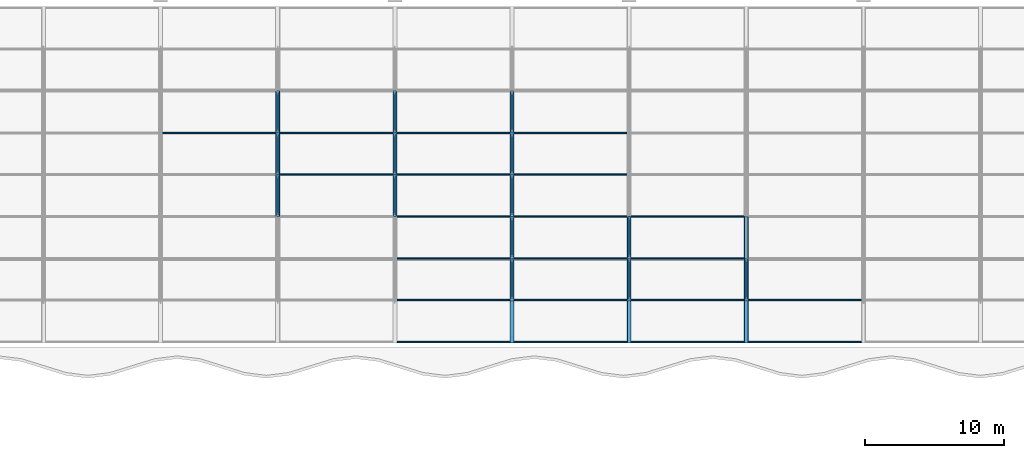
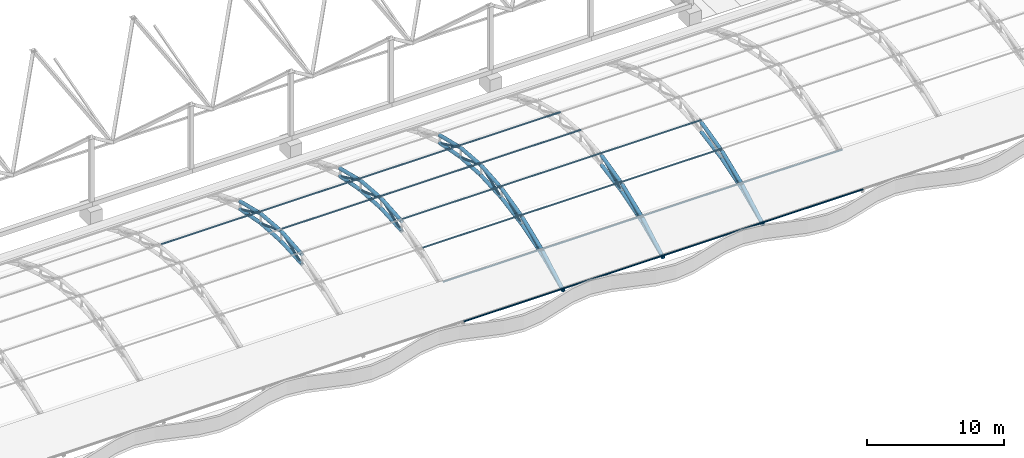
# One storey, part 18 of 163: 71 members.
"""IFC4 building model written with IfcOpenShell, lengths in metres."""

from ifc_helpers import new_model, si_unit, direction, frame, origin, origin_2d, place, context, subcontext, project, spatial, hollow_circle, extrude, material, material_profile, profile_set, type_object, element, save


model = new_model("IFC4")

# Units and contexts
model_context = context("Model", 3, precision=1e-05, world=origin(), true_north=direction((0.0, 1.0)))
body_context = subcontext(model_context, "Body", "Model", "MODEL_VIEW")
ifc_project = project(units=[si_unit("LENGTHUNIT", "METRE"), si_unit("AREAUNIT", "SQUARE_METRE"), si_unit("VOLUMEUNIT", "CUBIC_METRE"), si_unit("PLANEANGLEUNIT", "RADIAN"), si_unit("MASSUNIT", "GRAM", prefix="KILO")], contexts=[model_context])

# Site, building, storey
site_placement = place(None, origin())
site = spatial("IfcSite", under=ifc_project, at=site_placement, CompositionType="ELEMENT")
building_placement = place(site_placement, origin())
building = spatial("IfcBuilding", under=site, at=building_placement, Name="Rain Tree Exposition and Congress Centre", CompositionType="ELEMENT")
storey_placement = place(building_placement, frame((0.0, 0.0, 10.5)))
storey = spatial("IfcBuildingStorey", under=building, at=storey_placement, Name="L02", CompositionType="ELEMENT", Elevation=10.5)

# Members
ifc_material_1 = material(Name="Steel S355J2H", Category="steel")
ifc_material_profile_1 = material_profile(ifc_material_1, hollow_circle(Radius=0.090087890625, WallThickness=0.008056640625, at=origin_2d()), Name="CHS 180x8")
ifc_profile_set_1 = profile_set([ifc_material_profile_1], Name="Steel S355J2H")
member_type_1 = type_object("IfcMemberType", Name="Steel brace member CHS 180x8", PredefinedType="BRACE", material=ifc_profile_set_1)
for number, where, z_axis, x_axis, name in (
    (1, (84.0, 84.60009765625, 2.9423828125), (0.0, 0.940121356633, 0.340839896143), (-1.0, 0.0, 0.0), "Roof truss 11 diagonal 3"),
    (2, (84.0, 90.60009765625, 2.9423828125), (0.0, -0.940121356633, 0.340839896143), (1.0, 0.0, 0.0), "Roof truss 11 diagonal 4"),
):
    element("IfcMember", number, at=place(storey_placement, frame(where, z_axis=z_axis, x_axis=x_axis)), inside=storey, type_object=member_type_1, Name=name, PredefinedType="BRACE", context=body_context, shape_type="SweptSolid", body=[
        extrude(hollow_circle(Radius=0.090087890625, WallThickness=0.008056640625, at=origin_2d()), origin(), (0.0, 0.0, 1.0), 3.191162109375),
    ])
member_1_placement = place(storey_placement, frame((84.0, 93.60009765625, 2.3798828125), z_axis=(0.0, -0.905430616583, 0.424494285655), x_axis=(1.0, 0.0, 0.0)))
element("IfcMember", 3, at=member_1_placement, inside=storey, type_object=member_type_1, Name="Roof truss 11 diagonal 5", PredefinedType="BRACE", context=body_context, shape_type="SweptSolid", body=[
    extrude(hollow_circle(Radius=0.090087890625, WallThickness=0.008056640625, at=origin_2d()), origin(), (0.0, 0.0, 1.0), 3.313232421875),
])
for number, where, z_axis, x_axis, name in (
    (4, (92.39990234375, 84.60009765625, 2.9423828125), (0.0, 0.940121356633, 0.340839896143), (-1.0, 0.0, 0.0), "Roof truss 12 diagonal 3"),
    (5, (92.39990234375, 90.60009765625, 2.9423828125), (0.0, -0.940121356633, 0.340839896143), (1.0, 0.0, 0.0), "Roof truss 12 diagonal 4"),
):
    element("IfcMember", number, at=place(storey_placement, frame(where, z_axis=z_axis, x_axis=x_axis)), inside=storey, type_object=member_type_1, Name=name, PredefinedType="BRACE", context=body_context, shape_type="SweptSolid", body=[
        extrude(hollow_circle(Radius=0.090087890625, WallThickness=0.008056640625, at=origin_2d()), origin(), (0.0, 0.0, 1.0), 3.191162109375),
    ])
member_2_placement = place(storey_placement, frame((92.39990234375, 93.60009765625, 2.3798828125), z_axis=(0.0, -0.905430616583, 0.424494285655), x_axis=(1.0, 0.0, 0.0)))
element("IfcMember", 6, at=member_2_placement, inside=storey, type_object=member_type_1, Name="Roof truss 12 diagonal 5", PredefinedType="BRACE", context=body_context, shape_type="SweptSolid", body=[
    extrude(hollow_circle(Radius=0.090087890625, WallThickness=0.008056640625, at=origin_2d()), origin(), (0.0, 0.0, 1.0), 3.313232421875),
])
member_3_placement = place(storey_placement, frame((100.800048828125, 78.60009765625, 1.4423828125), z_axis=(0.0, 0.880818418444, 0.473454236151), x_axis=(-1.0, 0.0, 0.0)))
element("IfcMember", 7, at=member_3_placement, inside=storey, type_object=member_type_1, Name="Roof truss 13 diagonal 1", PredefinedType="BRACE", context=body_context, shape_type="SweptSolid", body=[
    extrude(hollow_circle(Radius=0.090087890625, WallThickness=0.008056640625, at=origin_2d()), origin(), (0.0, 0.0, 1.0), 3.406005859375),
])
member_4_placement = place(storey_placement, frame((100.800048828125, 81.60009765625, 2.3798828125), z_axis=(0.0, 0.905430616583, 0.424494285655), x_axis=(-1.0, 0.0, 0.0)))
element("IfcMember", 8, at=member_4_placement, inside=storey, type_object=member_type_1, Name="Roof truss 13 diagonal 2", PredefinedType="BRACE", context=body_context, shape_type="SweptSolid", body=[
    extrude(hollow_circle(Radius=0.090087890625, WallThickness=0.008056640625, at=origin_2d()), origin(), (0.0, 0.0, 1.0), 3.313232421875),
])
for number, where, z_axis, x_axis, name in (
    (9, (100.800048828125, 84.60009765625, 2.9423828125), (0.0, 0.940121356633, 0.340839896143), (-1.0, 0.0, 0.0), "Roof truss 13 diagonal 3"),
    (10, (100.800048828125, 90.60009765625, 2.9423828125), (0.0, -0.940121356633, 0.340839896143), (1.0, 0.0, 0.0), "Roof truss 13 diagonal 4"),
):
    element("IfcMember", number, at=place(storey_placement, frame(where, z_axis=z_axis, x_axis=x_axis)), inside=storey, type_object=member_type_1, Name=name, PredefinedType="BRACE", context=body_context, shape_type="SweptSolid", body=[
        extrude(hollow_circle(Radius=0.090087890625, WallThickness=0.008056640625, at=origin_2d()), origin(), (0.0, 0.0, 1.0), 3.191162109375),
    ])
member_5_placement = place(storey_placement, frame((100.800048828125, 93.60009765625, 2.3798828125), z_axis=(0.0, -0.905430616583, 0.424494285655), x_axis=(1.0, 0.0, 0.0)))
element("IfcMember", 11, at=member_5_placement, inside=storey, type_object=member_type_1, Name="Roof truss 13 diagonal 5", PredefinedType="BRACE", context=body_context, shape_type="SweptSolid", body=[
    extrude(hollow_circle(Radius=0.090087890625, WallThickness=0.008056640625, at=origin_2d()), origin(), (0.0, 0.0, 1.0), 3.313232421875),
])
member_6_placement = place(storey_placement, frame((109.199951171875, 78.60009765625, 1.4423828125), z_axis=(0.0, 0.880818418444, 0.473454236151), x_axis=(-1.0, 0.0, 0.0)))
element("IfcMember", 12, at=member_6_placement, inside=storey, type_object=member_type_1, Name="Roof truss 14 diagonal 1", PredefinedType="BRACE", context=body_context, shape_type="SweptSolid", body=[
    extrude(hollow_circle(Radius=0.090087890625, WallThickness=0.008056640625, at=origin_2d()), origin(), (0.0, 0.0, 1.0), 3.406005859375),
])
member_7_placement = place(storey_placement, frame((109.199951171875, 81.60009765625, 2.3798828125), z_axis=(0.0, 0.905430616583, 0.424494285655), x_axis=(-1.0, 0.0, 0.0)))
element("IfcMember", 13, at=member_7_placement, inside=storey, type_object=member_type_1, Name="Roof truss 14 diagonal 2", PredefinedType="BRACE", context=body_context, shape_type="SweptSolid", body=[
    extrude(hollow_circle(Radius=0.090087890625, WallThickness=0.008056640625, at=origin_2d()), origin(), (0.0, 0.0, 1.0), 3.313232421875),
])
member_8_placement = place(storey_placement, frame((117.60009765625, 78.60009765625, 1.4423828125), z_axis=(0.0, 0.880818418444, 0.473454236151), x_axis=(-1.0, 0.0, 0.0)))
element("IfcMember", 14, at=member_8_placement, inside=storey, type_object=member_type_1, Name="Roof truss 15 diagonal 1", PredefinedType="BRACE", context=body_context, shape_type="SweptSolid", body=[
    extrude(hollow_circle(Radius=0.090087890625, WallThickness=0.008056640625, at=origin_2d()), origin(), (0.0, 0.0, 1.0), 3.406005859375),
])
ifc_material_2 = material(Name="Steel S355J2H", Category="steel")
ifc_material_profile_2 = material_profile(ifc_material_2, hollow_circle(Radius=0.14990234375, WallThickness=0.013916015625, at=origin_2d()), Name="CHS 300x14")
ifc_profile_set_2 = profile_set([ifc_material_profile_2], Name="Steel S355J2H")
member_type_2 = type_object("IfcMemberType", Name="Steel chord member CHS 300x14", PredefinedType="CHORD", material=ifc_profile_set_2)
member_9_placement = place(storey_placement, frame((84.0, 84.60009765625, 3.786376953125), z_axis=(0.0, 0.996718090462, 0.0809508996), x_axis=(-1.0, 0.0, 0.0)))
element("IfcMember", 15, at=member_9_placement, inside=storey, type_object=member_type_2, Name="Roof truss 11 top chord 4", PredefinedType="CHORD", context=body_context, shape_type="SweptSolid", body=[
    extrude(hollow_circle(Radius=0.14990234375, WallThickness=0.013916015625, at=origin_2d()), origin(), (0.0, 0.0, 1.0), 3.009765625),
])
member_10_placement = place(storey_placement, frame((84.0, 84.60009765625, 2.9423828125), z_axis=(0.0, 0.998052578483, 0.062378286155), x_axis=(-1.0, 0.0, 0.0)))
element("IfcMember", 16, at=member_10_placement, inside=storey, type_object=member_type_2, Name="Roof truss 11 bottom chord 4", PredefinedType="CHORD", context=body_context, shape_type="SweptSolid", body=[
    extrude(hollow_circle(Radius=0.14990234375, WallThickness=0.013916015625, at=origin_2d()), origin(), (0.0, 0.0, 1.0), 3.005859375),
])
member_11_placement = place(storey_placement, frame((84.0, 87.60009765625, 4.030029296875), z_axis=(0.0, 0.996718090462, -0.0809508996), x_axis=(-1.0, 0.0, 0.0)))
element("IfcMember", 17, at=member_11_placement, inside=storey, type_object=member_type_2, Name="Roof truss 11 top chord 5", PredefinedType="CHORD", context=body_context, shape_type="SweptSolid", body=[
    extrude(hollow_circle(Radius=0.14990234375, WallThickness=0.013916015625, at=origin_2d()), origin(), (0.0, 0.0, 1.0), 3.009765625),
])
member_12_placement = place(storey_placement, frame((84.0, 87.60009765625, 3.1298828125), z_axis=(0.0, 0.998052578483, -0.062378286155), x_axis=(-1.0, 0.0, 0.0)))
element("IfcMember", 18, at=member_12_placement, inside=storey, type_object=member_type_2, Name="Roof truss 11 bottom chord 5", PredefinedType="CHORD", context=body_context, shape_type="SweptSolid", body=[
    extrude(hollow_circle(Radius=0.14990234375, WallThickness=0.013916015625, at=origin_2d()), origin(), (0.0, 0.0, 1.0), 3.005859375),
])
member_13_placement = place(storey_placement, frame((84.0, 90.60009765625, 3.786376953125), z_axis=(0.0, 0.971539868448, -0.236876094228), x_axis=(-1.0, 0.0, 0.0)))
element("IfcMember", 19, at=member_13_placement, inside=storey, type_object=member_type_2, Name="Roof truss 11 top chord 6", PredefinedType="CHORD", context=body_context, shape_type="SweptSolid", body=[
    extrude(hollow_circle(Radius=0.14990234375, WallThickness=0.013916015625, at=origin_2d()), origin(), (0.0, 0.0, 1.0), 3.087890625),
])
member_14_placement = place(storey_placement, frame((84.0, 90.60009765625, 2.9423828125), z_axis=(0.0, 0.982872186934, -0.18428853505), x_axis=(-1.0, 0.0, 0.0)))
element("IfcMember", 20, at=member_14_placement, inside=storey, type_object=member_type_2, Name="Roof truss 11 bottom chord 6", PredefinedType="CHORD", context=body_context, shape_type="SweptSolid", body=[
    extrude(hollow_circle(Radius=0.14990234375, WallThickness=0.013916015625, at=origin_2d()), origin(), (0.0, 0.0, 1.0), 3.05224609375),
])
member_15_placement = place(storey_placement, frame((92.39990234375, 84.60009765625, 3.786376953125), z_axis=(0.0, 0.996718090462, 0.0809508996), x_axis=(-1.0, 0.0, 0.0)))
element("IfcMember", 21, at=member_15_placement, inside=storey, type_object=member_type_2, Name="Roof truss 12 top chord 4", PredefinedType="CHORD", context=body_context, shape_type="SweptSolid", body=[
    extrude(hollow_circle(Radius=0.14990234375, WallThickness=0.013916015625, at=origin_2d()), origin(), (0.0, 0.0, 1.0), 3.009765625),
])
member_16_placement = place(storey_placement, frame((92.39990234375, 84.60009765625, 2.9423828125), z_axis=(0.0, 0.998052578483, 0.062378286155), x_axis=(-1.0, 0.0, 0.0)))
element("IfcMember", 22, at=member_16_placement, inside=storey, type_object=member_type_2, Name="Roof truss 12 bottom chord 4", PredefinedType="CHORD", context=body_context, shape_type="SweptSolid", body=[
    extrude(hollow_circle(Radius=0.14990234375, WallThickness=0.013916015625, at=origin_2d()), origin(), (0.0, 0.0, 1.0), 3.005859375),
])
member_17_placement = place(storey_placement, frame((92.39990234375, 87.60009765625, 4.030029296875), z_axis=(0.0, 0.996718090462, -0.0809508996), x_axis=(-1.0, 0.0, 0.0)))
element("IfcMember", 23, at=member_17_placement, inside=storey, type_object=member_type_2, Name="Roof truss 12 top chord 5", PredefinedType="CHORD", context=body_context, shape_type="SweptSolid", body=[
    extrude(hollow_circle(Radius=0.14990234375, WallThickness=0.013916015625, at=origin_2d()), origin(), (0.0, 0.0, 1.0), 3.009765625),
])
member_18_placement = place(storey_placement, frame((92.39990234375, 87.60009765625, 3.1298828125), z_axis=(0.0, 0.998052578483, -0.062378286155), x_axis=(-1.0, 0.0, 0.0)))
element("IfcMember", 24, at=member_18_placement, inside=storey, type_object=member_type_2, Name="Roof truss 12 bottom chord 5", PredefinedType="CHORD", context=body_context, shape_type="SweptSolid", body=[
    extrude(hollow_circle(Radius=0.14990234375, WallThickness=0.013916015625, at=origin_2d()), origin(), (0.0, 0.0, 1.0), 3.005859375),
])
member_19_placement = place(storey_placement, frame((92.39990234375, 90.60009765625, 3.786376953125), z_axis=(0.0, 0.971539868448, -0.236876094228), x_axis=(-1.0, 0.0, 0.0)))
element("IfcMember", 25, at=member_19_placement, inside=storey, type_object=member_type_2, Name="Roof truss 12 top chord 6", PredefinedType="CHORD", context=body_context, shape_type="SweptSolid", body=[
    extrude(hollow_circle(Radius=0.14990234375, WallThickness=0.013916015625, at=origin_2d()), origin(), (0.0, 0.0, 1.0), 3.087890625),
])
member_20_placement = place(storey_placement, frame((92.39990234375, 90.60009765625, 2.9423828125), z_axis=(0.0, 0.982872186934, -0.18428853505), x_axis=(-1.0, 0.0, 0.0)))
element("IfcMember", 26, at=member_20_placement, inside=storey, type_object=member_type_2, Name="Roof truss 12 bottom chord 6", PredefinedType="CHORD", context=body_context, shape_type="SweptSolid", body=[
    extrude(hollow_circle(Radius=0.14990234375, WallThickness=0.013916015625, at=origin_2d()), origin(), (0.0, 0.0, 1.0), 3.05224609375),
])
member_21_placement = place(storey_placement, frame((100.800048828125, 75.60009765625, 0.1298828125), z_axis=(0.0, 0.869238262324, 0.494393409455), x_axis=(-1.0, 0.0, 0.0)))
element("IfcMember", 27, at=member_21_placement, inside=storey, type_object=member_type_2, Name="Roof truss 13 top chord 1", PredefinedType="CHORD", context=body_context, shape_type="SweptSolid", body=[
    extrude(hollow_circle(Radius=0.14990234375, WallThickness=0.013916015625, at=origin_2d()), origin(), (0.0, 0.0, 1.0), 3.451416015625),
])
member_22_placement = place(storey_placement, frame((100.800048828125, 75.60009765625, 0.1298828125), z_axis=(0.0, 0.916157334902, 0.40081883402), x_axis=(-1.0, 0.0, 0.0)))
element("IfcMember", 28, at=member_22_placement, inside=storey, type_object=member_type_2, Name="Roof truss 13 bottom chord 1", PredefinedType="CHORD", context=body_context, shape_type="SweptSolid", body=[
    extrude(hollow_circle(Radius=0.14990234375, WallThickness=0.013916015625, at=origin_2d()), origin(), (0.0, 0.0, 1.0), 3.274658203125),
])
member_23_placement = place(storey_placement, frame((100.800048828125, 78.60009765625, 1.836181640625), z_axis=(0.0, 0.926466577122, 0.376377046956), x_axis=(-1.0, 0.0, 0.0)))
element("IfcMember", 29, at=member_23_placement, inside=storey, type_object=member_type_2, Name="Roof truss 13 top chord 2", PredefinedType="CHORD", context=body_context, shape_type="SweptSolid", body=[
    extrude(hollow_circle(Radius=0.14990234375, WallThickness=0.013916015625, at=origin_2d()), origin(), (0.0, 0.0, 1.0), 3.238037109375),
])
member_24_placement = place(storey_placement, frame((100.800048828125, 78.60009765625, 1.4423828125), z_axis=(0.0, 0.954479978035, 0.298274993136), x_axis=(-1.0, 0.0, 0.0)))
element("IfcMember", 30, at=member_24_placement, inside=storey, type_object=member_type_2, Name="Roof truss 13 bottom chord 2", PredefinedType="CHORD", context=body_context, shape_type="SweptSolid", body=[
    extrude(hollow_circle(Radius=0.14990234375, WallThickness=0.013916015625, at=origin_2d()), origin(), (0.0, 0.0, 1.0), 3.14306640625),
])
member_25_placement = place(storey_placement, frame((100.800048828125, 81.60009765625, 3.054931640625), z_axis=(0.0, 0.971539868448, 0.236876094228), x_axis=(-1.0, 0.0, 0.0)))
element("IfcMember", 31, at=member_25_placement, inside=storey, type_object=member_type_2, Name="Roof truss 13 top chord 3", PredefinedType="CHORD", context=body_context, shape_type="SweptSolid", body=[
    extrude(hollow_circle(Radius=0.14990234375, WallThickness=0.013916015625, at=origin_2d()), origin(), (0.0, 0.0, 1.0), 3.087890625),
])
member_26_placement = place(storey_placement, frame((100.800048828125, 81.60009765625, 2.3798828125), z_axis=(0.0, 0.982872186934, 0.18428853505), x_axis=(-1.0, 0.0, 0.0)))
element("IfcMember", 32, at=member_26_placement, inside=storey, type_object=member_type_2, Name="Roof truss 13 bottom chord 3", PredefinedType="CHORD", context=body_context, shape_type="SweptSolid", body=[
    extrude(hollow_circle(Radius=0.14990234375, WallThickness=0.013916015625, at=origin_2d()), origin(), (0.0, 0.0, 1.0), 3.05224609375),
])
member_27_placement = place(storey_placement, frame((100.800048828125, 84.60009765625, 3.786376953125), z_axis=(0.0, 0.996718090462, 0.0809508996), x_axis=(-1.0, 0.0, 0.0)))
element("IfcMember", 33, at=member_27_placement, inside=storey, type_object=member_type_2, Name="Roof truss 13 top chord 4", PredefinedType="CHORD", context=body_context, shape_type="SweptSolid", body=[
    extrude(hollow_circle(Radius=0.14990234375, WallThickness=0.013916015625, at=origin_2d()), origin(), (0.0, 0.0, 1.0), 3.009765625),
])
member_28_placement = place(storey_placement, frame((100.800048828125, 84.60009765625, 2.9423828125), z_axis=(0.0, 0.998052578483, 0.062378286155), x_axis=(-1.0, 0.0, 0.0)))
element("IfcMember", 34, at=member_28_placement, inside=storey, type_object=member_type_2, Name="Roof truss 13 bottom chord 4", PredefinedType="CHORD", context=body_context, shape_type="SweptSolid", body=[
    extrude(hollow_circle(Radius=0.14990234375, WallThickness=0.013916015625, at=origin_2d()), origin(), (0.0, 0.0, 1.0), 3.005859375),
])
member_29_placement = place(storey_placement, frame((100.800048828125, 87.60009765625, 4.030029296875), z_axis=(0.0, 0.996718090462, -0.0809508996), x_axis=(-1.0, 0.0, 0.0)))
element("IfcMember", 35, at=member_29_placement, inside=storey, type_object=member_type_2, Name="Roof truss 13 top chord 5", PredefinedType="CHORD", context=body_context, shape_type="SweptSolid", body=[
    extrude(hollow_circle(Radius=0.14990234375, WallThickness=0.013916015625, at=origin_2d()), origin(), (0.0, 0.0, 1.0), 3.009765625),
])
member_30_placement = place(storey_placement, frame((100.800048828125, 87.60009765625, 3.1298828125), z_axis=(0.0, 0.998052578483, -0.062378286155), x_axis=(-1.0, 0.0, 0.0)))
element("IfcMember", 36, at=member_30_placement, inside=storey, type_object=member_type_2, Name="Roof truss 13 bottom chord 5", PredefinedType="CHORD", context=body_context, shape_type="SweptSolid", body=[
    extrude(hollow_circle(Radius=0.14990234375, WallThickness=0.013916015625, at=origin_2d()), origin(), (0.0, 0.0, 1.0), 3.005859375),
])
member_31_placement = place(storey_placement, frame((100.800048828125, 90.60009765625, 3.786376953125), z_axis=(0.0, 0.971539868448, -0.236876094228), x_axis=(-1.0, 0.0, 0.0)))
element("IfcMember", 37, at=member_31_placement, inside=storey, type_object=member_type_2, Name="Roof truss 13 top chord 6", PredefinedType="CHORD", context=body_context, shape_type="SweptSolid", body=[
    extrude(hollow_circle(Radius=0.14990234375, WallThickness=0.013916015625, at=origin_2d()), origin(), (0.0, 0.0, 1.0), 3.087890625),
])
member_32_placement = place(storey_placement, frame((100.800048828125, 90.60009765625, 2.9423828125), z_axis=(0.0, 0.982872186934, -0.18428853505), x_axis=(-1.0, 0.0, 0.0)))
element("IfcMember", 38, at=member_32_placement, inside=storey, type_object=member_type_2, Name="Roof truss 13 bottom chord 6", PredefinedType="CHORD", context=body_context, shape_type="SweptSolid", body=[
    extrude(hollow_circle(Radius=0.14990234375, WallThickness=0.013916015625, at=origin_2d()), origin(), (0.0, 0.0, 1.0), 3.05224609375),
])
member_33_placement = place(storey_placement, frame((109.199951171875, 75.60009765625, 0.1298828125), z_axis=(0.0, 0.869238262324, 0.494393409455), x_axis=(-1.0, 0.0, 0.0)))
element("IfcMember", 39, at=member_33_placement, inside=storey, type_object=member_type_2, Name="Roof truss 14 top chord 1", PredefinedType="CHORD", context=body_context, shape_type="SweptSolid", body=[
    extrude(hollow_circle(Radius=0.14990234375, WallThickness=0.013916015625, at=origin_2d()), origin(), (0.0, 0.0, 1.0), 3.451416015625),
])
member_34_placement = place(storey_placement, frame((109.199951171875, 75.60009765625, 0.1298828125), z_axis=(0.0, 0.916157334902, 0.40081883402), x_axis=(-1.0, 0.0, 0.0)))
element("IfcMember", 40, at=member_34_placement, inside=storey, type_object=member_type_2, Name="Roof truss 14 bottom chord 1", PredefinedType="CHORD", context=body_context, shape_type="SweptSolid", body=[
    extrude(hollow_circle(Radius=0.14990234375, WallThickness=0.013916015625, at=origin_2d()), origin(), (0.0, 0.0, 1.0), 3.274658203125),
])
member_35_placement = place(storey_placement, frame((109.199951171875, 78.60009765625, 1.836181640625), z_axis=(0.0, 0.926466577122, 0.376377046956), x_axis=(-1.0, 0.0, 0.0)))
element("IfcMember", 41, at=member_35_placement, inside=storey, type_object=member_type_2, Name="Roof truss 14 top chord 2", PredefinedType="CHORD", context=body_context, shape_type="SweptSolid", body=[
    extrude(hollow_circle(Radius=0.14990234375, WallThickness=0.013916015625, at=origin_2d()), origin(), (0.0, 0.0, 1.0), 3.238037109375),
])
member_36_placement = place(storey_placement, frame((109.199951171875, 78.60009765625, 1.4423828125), z_axis=(0.0, 0.954479978035, 0.298274993136), x_axis=(-1.0, 0.0, 0.0)))
element("IfcMember", 42, at=member_36_placement, inside=storey, type_object=member_type_2, Name="Roof truss 14 bottom chord 2", PredefinedType="CHORD", context=body_context, shape_type="SweptSolid", body=[
    extrude(hollow_circle(Radius=0.14990234375, WallThickness=0.013916015625, at=origin_2d()), origin(), (0.0, 0.0, 1.0), 3.14306640625),
])
member_37_placement = place(storey_placement, frame((109.199951171875, 81.60009765625, 3.054931640625), z_axis=(0.0, 0.971539868448, 0.236876094228), x_axis=(-1.0, 0.0, 0.0)))
element("IfcMember", 43, at=member_37_placement, inside=storey, type_object=member_type_2, Name="Roof truss 14 top chord 3", PredefinedType="CHORD", context=body_context, shape_type="SweptSolid", body=[
    extrude(hollow_circle(Radius=0.14990234375, WallThickness=0.013916015625, at=origin_2d()), origin(), (0.0, 0.0, 1.0), 3.087890625),
])
member_38_placement = place(storey_placement, frame((109.199951171875, 81.60009765625, 2.3798828125), z_axis=(0.0, 0.982872186934, 0.18428853505), x_axis=(-1.0, 0.0, 0.0)))
element("IfcMember", 44, at=member_38_placement, inside=storey, type_object=member_type_2, Name="Roof truss 14 bottom chord 3", PredefinedType="CHORD", context=body_context, shape_type="SweptSolid", body=[
    extrude(hollow_circle(Radius=0.14990234375, WallThickness=0.013916015625, at=origin_2d()), origin(), (0.0, 0.0, 1.0), 3.05224609375),
])
member_39_placement = place(storey_placement, frame((117.60009765625, 75.60009765625, 0.1298828125), z_axis=(0.0, 0.869238262324, 0.494393409455), x_axis=(-1.0, 0.0, 0.0)))
element("IfcMember", 45, at=member_39_placement, inside=storey, type_object=member_type_2, Name="Roof truss 15 top chord 1", PredefinedType="CHORD", context=body_context, shape_type="SweptSolid", body=[
    extrude(hollow_circle(Radius=0.14990234375, WallThickness=0.013916015625, at=origin_2d()), origin(), (0.0, 0.0, 1.0), 3.451416015625),
])
member_40_placement = place(storey_placement, frame((117.60009765625, 75.60009765625, 0.1298828125), z_axis=(0.0, 0.916157334902, 0.40081883402), x_axis=(-1.0, 0.0, 0.0)))
element("IfcMember", 46, at=member_40_placement, inside=storey, type_object=member_type_2, Name="Roof truss 15 bottom chord 1", PredefinedType="CHORD", context=body_context, shape_type="SweptSolid", body=[
    extrude(hollow_circle(Radius=0.14990234375, WallThickness=0.013916015625, at=origin_2d()), origin(), (0.0, 0.0, 1.0), 3.274658203125),
])
member_41_placement = place(storey_placement, frame((117.60009765625, 78.60009765625, 1.836181640625), z_axis=(0.0, 0.926466577122, 0.376377046956), x_axis=(-1.0, 0.0, 0.0)))
element("IfcMember", 47, at=member_41_placement, inside=storey, type_object=member_type_2, Name="Roof truss 15 top chord 2", PredefinedType="CHORD", context=body_context, shape_type="SweptSolid", body=[
    extrude(hollow_circle(Radius=0.14990234375, WallThickness=0.013916015625, at=origin_2d()), origin(), (0.0, 0.0, 1.0), 3.238037109375),
])
member_42_placement = place(storey_placement, frame((117.60009765625, 78.60009765625, 1.4423828125), z_axis=(0.0, 0.954479978035, 0.298274993136), x_axis=(-1.0, 0.0, 0.0)))
element("IfcMember", 48, at=member_42_placement, inside=storey, type_object=member_type_2, Name="Roof truss 15 bottom chord 2", PredefinedType="CHORD", context=body_context, shape_type="SweptSolid", body=[
    extrude(hollow_circle(Radius=0.14990234375, WallThickness=0.013916015625, at=origin_2d()), origin(), (0.0, 0.0, 1.0), 3.14306640625),
])
member_43_placement = place(storey_placement, frame((117.60009765625, 81.60009765625, 3.054931640625), z_axis=(0.0, 0.971539868448, 0.236876094228), x_axis=(-1.0, 0.0, 0.0)))
element("IfcMember", 49, at=member_43_placement, inside=storey, type_object=member_type_2, Name="Roof truss 15 top chord 3", PredefinedType="CHORD", context=body_context, shape_type="SweptSolid", body=[
    extrude(hollow_circle(Radius=0.14990234375, WallThickness=0.013916015625, at=origin_2d()), origin(), (0.0, 0.0, 1.0), 3.087890625),
])
member_44_placement = place(storey_placement, frame((117.60009765625, 81.60009765625, 2.3798828125), z_axis=(0.0, 0.982872186934, 0.18428853505), x_axis=(-1.0, 0.0, 0.0)))
element("IfcMember", 50, at=member_44_placement, inside=storey, type_object=member_type_2, Name="Roof truss 15 bottom chord 3", PredefinedType="CHORD", context=body_context, shape_type="SweptSolid", body=[
    extrude(hollow_circle(Radius=0.14990234375, WallThickness=0.013916015625, at=origin_2d()), origin(), (0.0, 0.0, 1.0), 3.05224609375),
])
ifc_material_3 = material(Name="Steel S355J2H", Category="steel")
ifc_material_profile_3 = material_profile(ifc_material_3, hollow_circle(Radius=0.070068359375, WallThickness=0.006103515625, at=origin_2d()), Name="CHS 140x6")
ifc_profile_set_3 = profile_set([ifc_material_profile_3], Name="Steel S355J2H")
member_type_3 = type_object("IfcMemberType", Name="Steel purlin member CHS 140x6", PredefinedType="PURLIN", material=ifc_profile_set_3)
member_45_placement = place(storey_placement, frame((92.39990234375, 75.60009765625, 0.35009765625), z_axis=(1.0, 0.0, 0.0), x_axis=(0.0, 1.0, 0.0)))
element("IfcMember", 51, at=member_45_placement, inside=storey, type_object=member_type_3, Name="Roof purlin 1.12", PredefinedType="PURLIN", context=body_context, shape_type="SweptSolid", body=[
    extrude(hollow_circle(Radius=0.070068359375, WallThickness=0.006103515625, at=origin_2d()), origin(), (0.0, 0.0, 1.0), 8.400146484375),
])
member_46_placement = place(storey_placement, frame((100.800048828125, 75.60009765625, 0.35009765625), z_axis=(1.0, 0.0, 0.0), x_axis=(0.0, 1.0, 0.0)))
element("IfcMember", 52, at=member_46_placement, inside=storey, type_object=member_type_3, Name="Roof purlin 1.13", PredefinedType="PURLIN", context=body_context, shape_type="SweptSolid", body=[
    extrude(hollow_circle(Radius=0.070068359375, WallThickness=0.006103515625, at=origin_2d()), origin(), (0.0, 0.0, 1.0), 8.39990234375),
])
member_47_placement = place(storey_placement, frame((109.199951171875, 75.60009765625, 0.35009765625), z_axis=(1.0, 0.0, 0.0), x_axis=(0.0, 1.0, 0.0)))
element("IfcMember", 53, at=member_47_placement, inside=storey, type_object=member_type_3, Name="Roof purlin 1.14", PredefinedType="PURLIN", context=body_context, shape_type="SweptSolid", body=[
    extrude(hollow_circle(Radius=0.070068359375, WallThickness=0.006103515625, at=origin_2d()), origin(), (0.0, 0.0, 1.0), 8.400146484375),
])
member_48_placement = place(storey_placement, frame((117.60009765625, 75.60009765625, 0.35009765625), z_axis=(1.0, 0.0, 0.0), x_axis=(0.0, 1.0, 0.0)))
element("IfcMember", 54, at=member_48_placement, inside=storey, type_object=member_type_3, Name="Roof purlin 1.15", PredefinedType="PURLIN", context=body_context, shape_type="SweptSolid", body=[
    extrude(hollow_circle(Radius=0.070068359375, WallThickness=0.006103515625, at=origin_2d()), origin(), (0.0, 0.0, 1.0), 8.39990234375),
])
member_49_placement = place(storey_placement, frame((92.39990234375, 78.60009765625, 2.056396484375), z_axis=(1.0, 0.0, 0.0), x_axis=(0.0, 1.0, 0.0)))
element("IfcMember", 55, at=member_49_placement, inside=storey, type_object=member_type_3, Name="Roof purlin 2.12", PredefinedType="PURLIN", context=body_context, shape_type="SweptSolid", body=[
    extrude(hollow_circle(Radius=0.070068359375, WallThickness=0.006103515625, at=origin_2d()), origin(), (0.0, 0.0, 1.0), 8.400146484375),
])
member_50_placement = place(storey_placement, frame((100.800048828125, 78.60009765625, 2.056396484375), z_axis=(1.0, 0.0, 0.0), x_axis=(0.0, 1.0, 0.0)))
element("IfcMember", 56, at=member_50_placement, inside=storey, type_object=member_type_3, Name="Roof purlin 2.13", PredefinedType="PURLIN", context=body_context, shape_type="SweptSolid", body=[
    extrude(hollow_circle(Radius=0.070068359375, WallThickness=0.006103515625, at=origin_2d()), origin(), (0.0, 0.0, 1.0), 8.39990234375),
])
member_51_placement = place(storey_placement, frame((109.199951171875, 78.60009765625, 2.056396484375), z_axis=(1.0, 0.0, 0.0), x_axis=(0.0, 1.0, 0.0)))
element("IfcMember", 57, at=member_51_placement, inside=storey, type_object=member_type_3, Name="Roof purlin 2.14", PredefinedType="PURLIN", context=body_context, shape_type="SweptSolid", body=[
    extrude(hollow_circle(Radius=0.070068359375, WallThickness=0.006103515625, at=origin_2d()), origin(), (0.0, 0.0, 1.0), 8.400146484375),
])
member_52_placement = place(storey_placement, frame((117.60009765625, 78.60009765625, 2.056396484375), z_axis=(1.0, 0.0, 0.0), x_axis=(0.0, 1.0, 0.0)))
element("IfcMember", 58, at=member_52_placement, inside=storey, type_object=member_type_3, Name="Roof purlin 2.15", PredefinedType="PURLIN", context=body_context, shape_type="SweptSolid", body=[
    extrude(hollow_circle(Radius=0.070068359375, WallThickness=0.006103515625, at=origin_2d()), origin(), (0.0, 0.0, 1.0), 8.39990234375),
])
member_53_placement = place(storey_placement, frame((92.39990234375, 81.60009765625, 3.27490234375), z_axis=(1.0, 0.0, 0.0), x_axis=(0.0, 1.0, 0.0)))
element("IfcMember", 59, at=member_53_placement, inside=storey, type_object=member_type_3, Name="Roof purlin 3.12", PredefinedType="PURLIN", context=body_context, shape_type="SweptSolid", body=[
    extrude(hollow_circle(Radius=0.070068359375, WallThickness=0.006103515625, at=origin_2d()), origin(), (0.0, 0.0, 1.0), 8.400146484375),
])
member_54_placement = place(storey_placement, frame((100.800048828125, 81.60009765625, 3.27490234375), z_axis=(1.0, 0.0, 0.0), x_axis=(0.0, 1.0, 0.0)))
element("IfcMember", 60, at=member_54_placement, inside=storey, type_object=member_type_3, Name="Roof purlin 3.13", PredefinedType="PURLIN", context=body_context, shape_type="SweptSolid", body=[
    extrude(hollow_circle(Radius=0.070068359375, WallThickness=0.006103515625, at=origin_2d()), origin(), (0.0, 0.0, 1.0), 8.39990234375),
])
for number, where, z_axis, x_axis, name in (
    (61, (109.199951171875, 81.60009765625, 3.27490234375), (1.0, 0.0, 0.0), (0.0, 1.0, 0.0), "Roof purlin 3.14"),
    (62, (92.39990234375, 84.60009765625, 4.00634765625), (1.0, 0.0, 0.0), (0.0, 1.0, 0.0), "Roof purlin 4.12"),
):
    element("IfcMember", number, at=place(storey_placement, frame(where, z_axis=z_axis, x_axis=x_axis)), inside=storey, type_object=member_type_3, Name=name, PredefinedType="PURLIN", context=body_context, shape_type="SweptSolid", body=[
        extrude(hollow_circle(Radius=0.070068359375, WallThickness=0.006103515625, at=origin_2d()), origin(), (0.0, 0.0, 1.0), 8.400146484375),
    ])
member_55_placement = place(storey_placement, frame((100.800048828125, 84.60009765625, 4.00634765625), z_axis=(1.0, 0.0, 0.0), x_axis=(0.0, 1.0, 0.0)))
element("IfcMember", 63, at=member_55_placement, inside=storey, type_object=member_type_3, Name="Roof purlin 4.13", PredefinedType="PURLIN", context=body_context, shape_type="SweptSolid", body=[
    extrude(hollow_circle(Radius=0.070068359375, WallThickness=0.006103515625, at=origin_2d()), origin(), (0.0, 0.0, 1.0), 8.39990234375),
])
member_56_placement = place(storey_placement, frame((109.199951171875, 84.60009765625, 4.00634765625), z_axis=(1.0, 0.0, 0.0), x_axis=(0.0, 1.0, 0.0)))
element("IfcMember", 64, at=member_56_placement, inside=storey, type_object=member_type_3, Name="Roof purlin 4.14", PredefinedType="PURLIN", context=body_context, shape_type="SweptSolid", body=[
    extrude(hollow_circle(Radius=0.070068359375, WallThickness=0.006103515625, at=origin_2d()), origin(), (0.0, 0.0, 1.0), 8.400146484375),
])
member_57_placement = place(storey_placement, frame((84.0, 87.60009765625, 4.25), z_axis=(1.0, 0.0, 0.0), x_axis=(0.0, 1.0, 0.0)))
element("IfcMember", 65, at=member_57_placement, inside=storey, type_object=member_type_3, Name="Roof purlin 5.11", PredefinedType="PURLIN", context=body_context, shape_type="SweptSolid", body=[
    extrude(hollow_circle(Radius=0.070068359375, WallThickness=0.006103515625, at=origin_2d()), origin(), (0.0, 0.0, 1.0), 8.39990234375),
])
member_58_placement = place(storey_placement, frame((92.39990234375, 87.60009765625, 4.25), z_axis=(1.0, 0.0, 0.0), x_axis=(0.0, 1.0, 0.0)))
element("IfcMember", 66, at=member_58_placement, inside=storey, type_object=member_type_3, Name="Roof purlin 5.12", PredefinedType="PURLIN", context=body_context, shape_type="SweptSolid", body=[
    extrude(hollow_circle(Radius=0.070068359375, WallThickness=0.006103515625, at=origin_2d()), origin(), (0.0, 0.0, 1.0), 8.400146484375),
])
for number, where, z_axis, x_axis, name in (
    (67, (100.800048828125, 87.60009765625, 4.25), (1.0, 0.0, 0.0), (0.0, 1.0, 0.0), "Roof purlin 5.13"),
    (68, (75.60009765625, 90.60009765625, 4.00634765625), (1.0, 0.0, 0.0), (0.0, 1.0, 0.0), "Roof purlin 6.10"),
    (69, (84.0, 90.60009765625, 4.00634765625), (1.0, 0.0, 0.0), (0.0, 1.0, 0.0), "Roof purlin 6.11"),
):
    element("IfcMember", number, at=place(storey_placement, frame(where, z_axis=z_axis, x_axis=x_axis)), inside=storey, type_object=member_type_3, Name=name, PredefinedType="PURLIN", context=body_context, shape_type="SweptSolid", body=[
        extrude(hollow_circle(Radius=0.070068359375, WallThickness=0.006103515625, at=origin_2d()), origin(), (0.0, 0.0, 1.0), 8.39990234375),
    ])
member_59_placement = place(storey_placement, frame((92.39990234375, 90.60009765625, 4.00634765625), z_axis=(1.0, 0.0, 0.0), x_axis=(0.0, 1.0, 0.0)))
element("IfcMember", 70, at=member_59_placement, inside=storey, type_object=member_type_3, Name="Roof purlin 6.12", PredefinedType="PURLIN", context=body_context, shape_type="SweptSolid", body=[
    extrude(hollow_circle(Radius=0.070068359375, WallThickness=0.006103515625, at=origin_2d()), origin(), (0.0, 0.0, 1.0), 8.400146484375),
])
member_60_placement = place(storey_placement, frame((100.800048828125, 90.60009765625, 4.00634765625), z_axis=(1.0, 0.0, 0.0), x_axis=(0.0, 1.0, 0.0)))
element("IfcMember", 71, at=member_60_placement, inside=storey, type_object=member_type_3, Name="Roof purlin 6.13", PredefinedType="PURLIN", context=body_context, shape_type="SweptSolid", body=[
    extrude(hollow_circle(Radius=0.070068359375, WallThickness=0.006103515625, at=origin_2d()), origin(), (0.0, 0.0, 1.0), 8.39990234375),
])

save(model, "model.ifc")
